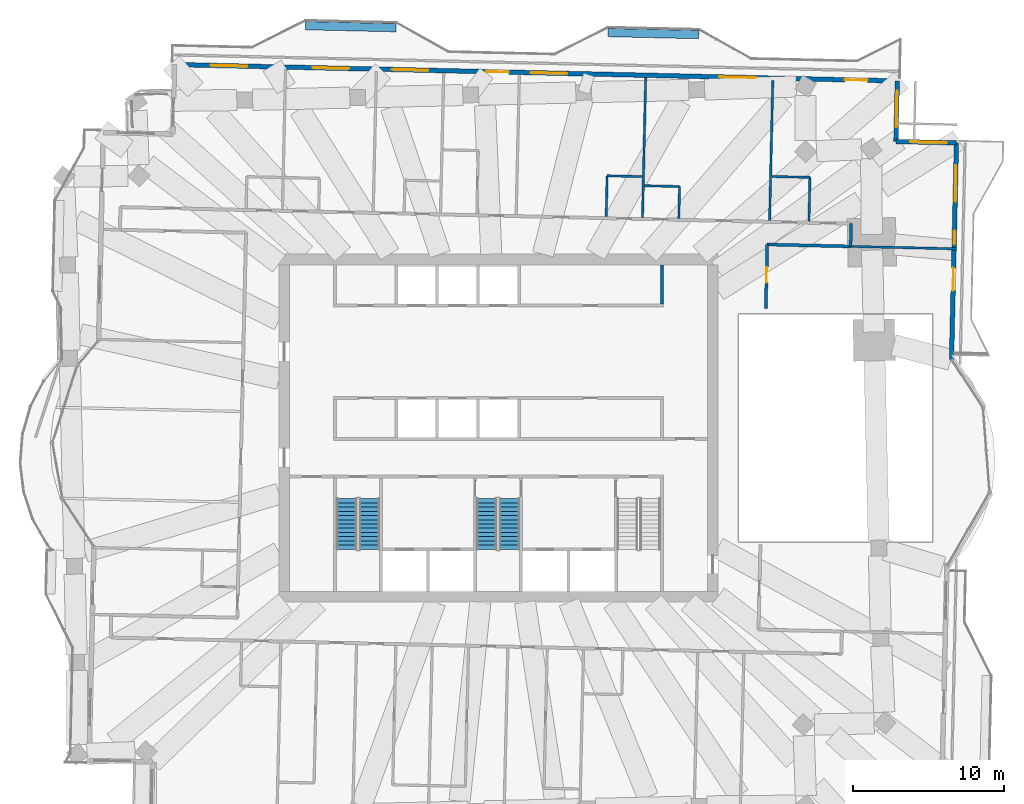
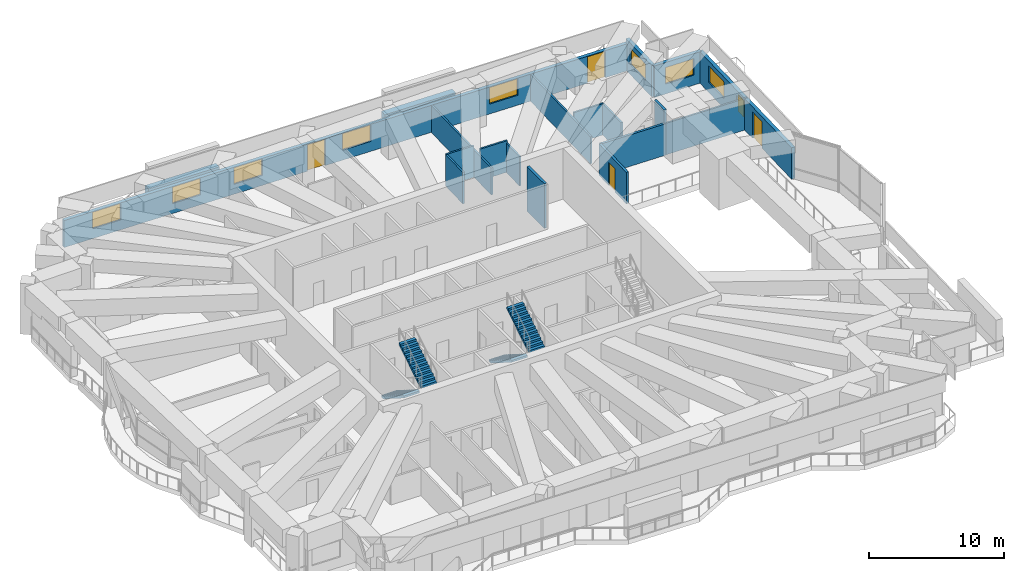
# One storey, part 14 of 20: 19 walls, 9 windows, 4 doors, 4 stair flights, 13 openings, 2 elements without a shape of their own.
"""IFC4 building model written with IfcOpenShell, lengths in metres."""

from ifc_helpers import new_model, si_unit, direction, frame, frame_2d, origin, place, context, subcontext, project, spatial, polyline, rectangle, outline, extrude, material, layer, layer_set, type_object, element, fill, aggregate, save


model = new_model("IFC4")

# Units and contexts
model_context = context("Model", 3, precision=1e-05, world=origin(), true_north=direction((0.0, 1.0)))
body_context = subcontext(model_context, "Body", "Model", "MODEL_VIEW")
ifc_project = project(units=[si_unit("LENGTHUNIT", "METRE"), si_unit("AREAUNIT", "SQUARE_METRE"), si_unit("VOLUMEUNIT", "CUBIC_METRE"), si_unit("PLANEANGLEUNIT", "RADIAN"), si_unit("MASSUNIT", "GRAM", prefix="KILO")], contexts=[model_context])

# Site, building, storey
site_placement = place(None, origin())
site = spatial("IfcSite", under=ifc_project, at=site_placement, CompositionType="ELEMENT")
building_placement = place(site_placement, origin())
building = spatial("IfcBuilding", under=site, at=building_placement, Name="Mangrove Gate Tower", CompositionType="ELEMENT")
storey_placement = place(building_placement, frame((0.0, 0.0, 252.699951171875)))
storey = spatial("IfcBuildingStorey", under=building, at=storey_placement, Name="L64", CompositionType="ELEMENT", Elevation=252.699951171875)

# Wall
ifc_material_1 = material(Name="Concrete C32/40", Category="concrete")
ifc_layer_1 = layer(ifc_material_1, 0.199951171875)
ifc_layer_set_1 = layer_set([ifc_layer_1], Name="Core room wall 200 C32/40")
wall_type_1 = type_object("IfcWallType", Name="Core room wall 200 C32/40", PredefinedType="STANDARD", material=ifc_layer_set_1)
wall_1_placement = place(storey_placement, frame((10.800048828125, 8.199951171875, 0.0), z_axis=(0.0, 0.0, 1.0), x_axis=(0.0, 1.0, 0.0)))
element("IfcWall", 1, at=wall_1_placement, inside=storey, type_object=wall_type_1, Name="WALL-L64-CORE-30", PredefinedType="STANDARD", context=body_context, shape_type="SweptSolid", body=[
    extrude(rectangle(XDim=2.60009765625, YDim=0.199951171875, at=frame_2d((1.300048828125, 0.0))), origin(), (0.0, 0.0, 1.0), 4.050048828125),
])

# Wall, opening, door
ifc_material_2 = material(Name="Gypsum board on steel stud, EI 60", Category="steel")
ifc_layer_2 = layer(ifc_material_2, 0.199951171875)
ifc_layer_set_2 = layer_set([ifc_layer_2], Name="Corridor wall EI 60")
wall_type_2 = type_object("IfcWallType", Name="Corridor wall EI 60", PredefinedType="PARTITIONING", material=ifc_layer_set_2)
wall_2_placement = place(storey_placement, frame((17.660888671875, 7.904052734375, 0.0), z_axis=(0.0, 0.0, 1.0), x_axis=(0.022718785711, 0.999741895079, 0.0)))
wall_2 = element("IfcWall", 2, at=wall_2_placement, inside=storey, type_object=wall_type_2, Name="WALL-L64-034", PredefinedType="PARTITIONING", context=body_context, shape_type="SweptSolid", body=[
    extrude(rectangle(XDim=4.23388671875, YDim=0.199951171875, at=frame_2d((2.116943359375, 0.0))), origin(), (0.0, 0.0, 1.0), 2.85009765625),
])
opening_1_placement = place(wall_2_placement, frame((1.718994140625, 0.0, 0.0)))
opening_1 = element("IfcOpeningElement", 3, at=opening_1_placement, cuts=wall_2, Name="Opening AD", PredefinedType="OPENING", context=body_context, shape_type="SweptSolid", body=[
    extrude(rectangle(XDim=1.0, YDim=2.10009765625, at=frame_2d((0.5, 1.050048828125))), frame((0.0, 0.10986328125, 0.0), z_axis=(0.0, -1.0, 0.0), x_axis=(1.0, 0.0, 0.0)), (0.0, 0.0, 1.0), 0.219970703125),
])
ifc_material_3 = material(Name="Timber door leaf", Category="wood")
door_type_1 = type_object("IfcDoorType", Name="Amenity door 1000", OperationType="SINGLE_SWING_LEFT", PredefinedType="DOOR", material=ifc_material_3)
door_1_placement = place(opening_1_placement, origin())
door_1 = element("IfcDoor", 4, at=door_1_placement, inside=storey, type_object=door_type_1, Name="DOOR-L64-KIT-c4b", OperationType="SINGLE_SWING_RIGHT", OverallHeight=2.10009765625, OverallWidth=1.0, PredefinedType="DOOR", context=body_context, shape_type="SweptSolid", body=[
    extrude(rectangle(XDim=1.0, YDim=2.10009765625, at=frame_2d((0.5, 1.050048828125))), frame((0.0, 0.02490234375, 0.0), z_axis=(0.0, -1.0, 0.0), x_axis=(1.0, 0.0, 0.0)), (0.0, 0.0, 1.0), 0.050048828125),
])
fill(opening_1, door_1)

# Walls
wall_3_placement = place(storey_placement, frame((17.7529296875, 12.136962890625, 0.0), z_axis=(0.0, 0.0, 1.0), x_axis=(0.999742772321, -0.022680149738, 0.0)))
element("IfcWall", 5, at=wall_3_placement, inside=storey, type_object=wall_type_2, Name="WALL-L64-038", PredefinedType="PARTITIONING", context=body_context, shape_type="SweptSolid", body=[
    extrude(rectangle(XDim=5.511474609375, YDim=0.199951171875, at=frame_2d((2.755859375, 0.0))), origin(), (0.0, 0.0, 1.0), 2.85009765625),
])
wall_4_placement = place(storey_placement, frame((23.26611328125, 12.011962890625, 0.0), z_axis=(0.0, 0.0, 1.0), x_axis=(0.022617910375, 0.999744182344, 0.0)))
element("IfcWall", 6, at=wall_4_placement, inside=storey, type_object=wall_type_2, Name="WALL-L64-040", PredefinedType="PARTITIONING", context=body_context, shape_type="SweptSolid", body=[
    extrude(rectangle(XDim=1.50048828125, YDim=0.199951171875, at=frame_2d((0.750244140625, 0.0))), origin(), (0.0, 0.0, 1.0), 4.050048828125),
])

# Wall, openings, door, windows
ifc_material_4 = material(Name="Limestone", Category="masonry")
ifc_layer_3 = layer(ifc_material_4, 0.0400390625, Name="Limestone cladding")
ifc_material_5 = material(Name="Ventilated air gap")
ifc_layer_4 = layer(ifc_material_5, 0.0400390625, Name="Ventilated cavity")
ifc_material_6 = material(Name="Mineral wool insulation")
ifc_layer_5 = layer(ifc_material_6, 0.06005859375, Name="Insulation")
ifc_material_7 = material(Name="Breather membrane")
ifc_layer_6 = layer(ifc_material_7, 0.001953125, Name="Breather membrane")
ifc_material_8 = material(Name="Concrete C20/25 blockwork", Category="masonry")
ifc_layer_7 = layer(ifc_material_8, 0.14990234375, Name="Blockwork backing wall")
ifc_material_9 = material(Name="Gypsum plaster")
ifc_layer_8 = layer(ifc_material_9, 0.008056640625, Name="Internal plaster")
ifc_layer_set_3 = layer_set([ifc_layer_3, ifc_layer_4, ifc_layer_5, ifc_layer_6, ifc_layer_7, ifc_layer_8], Name="External wall 300 limestone cladding")
wall_type_3 = type_object("IfcWallType", Name="External wall 300 limestone cladding", PredefinedType="SOLIDWALL", material=ifc_layer_set_3)
wall_5_placement = place(storey_placement, frame((29.93310546875, 4.529052734375, 0.0), z_axis=(0.0, 0.0, 1.0), x_axis=(0.022745013272, 0.999741298722, 0.0)))
wall_5 = element("IfcWall", 7, at=wall_5_placement, inside=storey, type_object=wall_type_3, Name="WALL-L64-E2", PredefinedType="SOLIDWALL", context=body_context, shape_type="SweptSolid", body=[
    extrude(rectangle(XDim=14.32958984375, YDim=0.300048828125, at=frame_2d((7.164794921875, 0.0))), origin(), (0.0, 0.0, 1.0), 2.85009765625),
])
opening_2_placement = place(wall_5_placement, frame((4.56396484375, 0.0, 0.0)))
opening_2 = element("IfcOpeningElement", 8, at=opening_2_placement, cuts=wall_5, Name="Opening BD1", PredefinedType="OPENING", context=body_context, shape_type="SweptSolid", body=[
    extrude(rectangle(XDim=1.5, YDim=2.39990234375, at=frame_2d((0.75, 1.199951171875))), frame((0.0, 0.159912109375, 0.0), z_axis=(0.0, -1.0, 0.0), x_axis=(1.0, 0.0, 0.0)), (0.0, 0.0, 1.0), 0.320068359375),
])
opening_3_placement = place(wall_5_placement, frame((7.62890625, 0.0, 0.89990234375)))
opening_3 = element("IfcOpeningElement", 9, at=opening_3_placement, cuts=wall_5, Name="Opening W5", PredefinedType="OPENING", context=body_context, shape_type="SweptSolid", body=[
    extrude(rectangle(XDim=0.89990234375, YDim=1.5, at=frame_2d((0.449951171875, 0.75))), frame((0.0, 0.159912109375, 0.0), z_axis=(0.0, -1.0, 0.0), x_axis=(1.0, 0.0, 0.0)), (0.0, 0.0, 1.0), 0.320068359375),
])
opening_4_placement = place(wall_5_placement, frame((10.4541015625, 0.0, 0.89990234375)))
opening_4 = element("IfcOpeningElement", 10, at=opening_4_placement, cuts=wall_5, Name="Opening W2", PredefinedType="OPENING", context=body_context, shape_type="SweptSolid", body=[
    extrude(rectangle(XDim=2.39990234375, YDim=1.5, at=frame_2d((1.199951171875, 0.75))), frame((0.0, 0.159912109375, 0.0), z_axis=(0.0, -1.0, 0.0), x_axis=(1.0, 0.0, 0.0)), (0.0, 0.0, 1.0), 0.320068359375),
])
ifc_material_10 = material(Name="Aluminium frame with laminated clear glass", Category="aluminium")
door_type_2 = type_object("IfcDoorType", Name="Balcony sliding door 1500x2400", OperationType="SLIDING_TO_LEFT", PredefinedType="DOOR", material=ifc_material_10)
door_2_placement = place(opening_2_placement, origin())
door_2 = element("IfcDoor", 11, at=door_2_placement, inside=storey, type_object=door_type_2, Name="DOOR-L64-E2-1", OperationType="SLIDING_TO_LEFT", OverallHeight=2.39990234375, OverallWidth=1.5, PredefinedType="DOOR", context=body_context, shape_type="SweptSolid", body=[
    extrude(rectangle(XDim=1.5, YDim=2.39990234375, at=frame_2d((0.75, 1.199951171875))), frame((0.0, 0.02490234375, 0.0), z_axis=(0.0, -1.0, 0.0), x_axis=(1.0, 0.0, 0.0)), (0.0, 0.0, 1.0), 0.050048828125),
])
fill(opening_2, door_2)
ifc_material_11 = material(Name="Aluminium frame with double-glazed low-e glass", Category="aluminium")
window_type_1 = type_object("IfcWindowType", Name="Corner room window 2400x1500", PartitioningType="DOUBLE_PANEL_VERTICAL", PredefinedType="WINDOW", material=ifc_material_11)
window_1_placement = place(opening_4_placement, origin())
window_1 = element("IfcWindow", 12, at=window_1_placement, inside=storey, type_object=window_type_1, Name="WIN-L64-E2-3", OverallHeight=1.5, OverallWidth=2.39990234375, PartitioningType="DOUBLE_PANEL_VERTICAL", PredefinedType="WINDOW", context=body_context, shape_type="SweptSolid", body=[
    extrude(rectangle(XDim=2.39990234375, YDim=1.5, at=frame_2d((1.199951171875, 0.75))), frame((0.0, 0.030029296875, 0.0), z_axis=(0.0, -1.0, 0.0), x_axis=(1.0, 0.0, 0.0)), (0.0, 0.0, 1.0), 0.06005859375),
])
fill(opening_4, window_1)
ifc_material_12 = material(Name="Aluminium frame with double-glazed low-e glass", Category="aluminium")
window_type_2 = type_object("IfcWindowType", Name="Narrow window 900x1500", PartitioningType="SINGLE_PANEL", PredefinedType="WINDOW", material=ifc_material_12)
window_2_placement = place(opening_3_placement, origin())
window_2 = element("IfcWindow", 13, at=window_2_placement, inside=storey, type_object=window_type_2, Name="WIN-L64-E2-2", OverallHeight=1.5, OverallWidth=0.89990234375, PartitioningType="SINGLE_PANEL", PredefinedType="WINDOW", context=body_context, shape_type="SweptSolid", body=[
    extrude(rectangle(XDim=0.89990234375, YDim=1.5, at=frame_2d((0.449951171875, 0.75))), frame((0.0, 0.030029296875, 0.0), z_axis=(0.0, -1.0, 0.0), x_axis=(1.0, 0.0, 0.0)), (0.0, 0.0, 1.0), 0.06005859375),
])
fill(opening_3, window_2)

# Wall, opening, window
wall_6_placement = place(storey_placement, frame((30.259033203125, 18.85498046875, 0.0), z_axis=(0.0, 0.0, 1.0), x_axis=(-0.999740826251, 0.022765770952, 0.0)))
wall_6 = element("IfcWall", 14, at=wall_6_placement, inside=storey, type_object=wall_type_3, Name="WALL-L64-N3", PredefinedType="SOLIDWALL", context=body_context, shape_type="SweptSolid", body=[
    extrude(rectangle(XDim=4.0, YDim=0.300048828125, at=frame_2d((2.0, 0.0))), origin(), (0.0, 0.0, 1.0), 2.85009765625),
])
opening_5_placement = place(wall_6_placement, frame((0.64990234375, 0.0, 0.89990234375)))
opening_5 = element("IfcOpeningElement", 15, at=opening_5_placement, cuts=wall_6, Name="Opening W2", PredefinedType="OPENING", context=body_context, shape_type="SweptSolid", body=[
    extrude(rectangle(XDim=2.39990234375, YDim=1.5, at=frame_2d((1.199951171875, 0.75))), frame((0.0, 0.159912109375, 0.0), z_axis=(0.0, -1.0, 0.0), x_axis=(1.0, 0.0, 0.0)), (0.0, 0.0, 1.0), 0.320068359375),
])
window_3_placement = place(opening_5_placement, origin())
window_3 = element("IfcWindow", 16, at=window_3_placement, inside=storey, type_object=window_type_1, Name="WIN-L64-N3-1", OverallHeight=1.5, OverallWidth=2.39990234375, PartitioningType="DOUBLE_PANEL_VERTICAL", PredefinedType="WINDOW", context=body_context, shape_type="SweptSolid", body=[
    extrude(rectangle(XDim=2.39990234375, YDim=1.5, at=frame_2d((1.199951171875, 0.75))), frame((0.0, 0.030029296875, 0.0), z_axis=(0.0, -1.0, 0.0), x_axis=(1.0, 0.0, 0.0)), (0.0, 0.0, 1.0), 0.06005859375),
])
fill(opening_5, window_3)

wall_7_placement = place(storey_placement, frame((26.260009765625, 18.946044921875, 0.0), z_axis=(0.0, 0.0, 1.0), x_axis=(0.022521758502, 0.999746353029, 0.0)))
wall_7 = element("IfcWall", 17, at=wall_7_placement, inside=storey, type_object=wall_type_3, Name="WALL-L64-E4", PredefinedType="SOLIDWALL", context=body_context, shape_type="SweptSolid", body=[
    extrude(rectangle(XDim=4.0, YDim=0.300048828125, at=frame_2d((2.0, 0.0))), origin(), (0.0, 0.0, 1.0), 2.85009765625),
])
opening_6_placement = place(wall_7_placement, frame((0.949951171875, 0.0, 0.89990234375)))
opening_6 = element("IfcOpeningElement", 18, at=opening_6_placement, cuts=wall_7, Name="Opening W2", PredefinedType="OPENING", context=body_context, shape_type="SweptSolid", body=[
    extrude(rectangle(XDim=2.39990234375, YDim=1.5, at=frame_2d((1.199951171875, 0.75))), frame((0.0, 0.159912109375, 0.0), z_axis=(0.0, -1.0, 0.0), x_axis=(1.0, 0.0, 0.0)), (0.0, 0.0, 1.0), 0.320068359375),
])
window_4_placement = place(opening_6_placement, origin())
window_4 = element("IfcWindow", 19, at=window_4_placement, inside=storey, type_object=window_type_1, Name="WIN-L64-E4-1", OverallHeight=1.5, OverallWidth=2.39990234375, PartitioningType="DOUBLE_PANEL_VERTICAL", PredefinedType="WINDOW", context=body_context, shape_type="SweptSolid", body=[
    extrude(rectangle(XDim=2.39990234375, YDim=1.5, at=frame_2d((1.199951171875, 0.75))), frame((0.0, 0.030029296875, 0.0), z_axis=(0.0, -1.0, 0.0), x_axis=(1.0, 0.0, 0.0)), (0.0, 0.0, 1.0), 0.06005859375),
])
fill(opening_6, window_4)

# Wall, openings, doors, windows
wall_8_placement = place(storey_placement, frame((26.35009765625, 22.945068359375, 0.0), z_axis=(0.0, 0.0, 1.0), x_axis=(-0.999742523712, 0.022691105788, 0.0)))
wall_8 = element("IfcWall", 20, at=wall_8_placement, inside=storey, type_object=wall_type_3, Name="WALL-L64-N5", PredefinedType="SOLIDWALL", context=body_context, shape_type="SweptSolid", body=[
    extrude(rectangle(XDim=47.771240234375, YDim=0.300048828125, at=frame_2d((23.8857421875, 0.0))), origin(), (0.0, 0.0, 1.0), 2.449951171875),
])
opening_7_placement = place(wall_8_placement, frame((1.968994140625, 0.0, 0.0)))
opening_7 = element("IfcOpeningElement", 21, at=opening_7_placement, cuts=wall_8, Name="Opening BD1", PredefinedType="OPENING", context=body_context, shape_type="SweptSolid", body=[
    extrude(rectangle(XDim=1.5, YDim=2.39990234375, at=frame_2d((0.75, 1.199951171875))), frame((0.0, 0.159912109375, 0.0), z_axis=(0.0, -1.0, 0.0), x_axis=(1.0, 0.0, 0.0)), (0.0, 0.0, 1.0), 0.320068359375),
])
opening_8_placement = place(wall_8_placement, frame((9.35595703125, 0.0, 0.89990234375)))
opening_8 = element("IfcOpeningElement", 22, at=opening_8_placement, cuts=wall_8, Name="Opening W2", PredefinedType="OPENING", context=body_context, shape_type="SweptSolid", body=[
    extrude(rectangle(XDim=2.39990234375, YDim=1.5, at=frame_2d((1.199951171875, 0.75))), frame((0.0, 0.159912109375, 0.0), z_axis=(0.0, -1.0, 0.0), x_axis=(1.0, 0.0, 0.0)), (0.0, 0.0, 1.0), 0.320068359375),
])
opening_9_placement = place(wall_8_placement, frame((21.81005859375, 0.0, 0.89990234375)))
opening_9 = element("IfcOpeningElement", 23, at=opening_9_placement, cuts=wall_8, Name="Opening W2", PredefinedType="OPENING", context=body_context, shape_type="SweptSolid", body=[
    extrude(rectangle(XDim=2.39990234375, YDim=1.5, at=frame_2d((1.199951171875, 0.75))), frame((0.0, 0.159912109375, 0.0), z_axis=(0.0, -1.0, 0.0), x_axis=(1.0, 0.0, 0.0)), (0.0, 0.0, 1.0), 0.320068359375),
])
opening_10_placement = place(wall_8_placement, frame((25.6669921875, 0.0, 0.0)))
opening_10 = element("IfcOpeningElement", 24, at=opening_10_placement, cuts=wall_8, Name="Opening BD1", PredefinedType="OPENING", context=body_context, shape_type="SweptSolid", body=[
    extrude(rectangle(XDim=1.5, YDim=2.39990234375, at=frame_2d((0.75, 1.199951171875))), frame((0.0, 0.159912109375, 0.0), z_axis=(0.0, -1.0, 0.0), x_axis=(1.0, 0.0, 0.0)), (0.0, 0.0, 1.0), 0.320068359375),
])
opening_11_placement = place(wall_8_placement, frame((30.9970703125, 0.0, 0.89990234375)))
opening_11 = element("IfcOpeningElement", 25, at=opening_11_placement, cuts=wall_8, Name="Opening W2", PredefinedType="OPENING", context=body_context, shape_type="SweptSolid", body=[
    extrude(rectangle(XDim=2.39990234375, YDim=1.5, at=frame_2d((1.199951171875, 0.75))), frame((0.0, 0.159912109375, 0.0), z_axis=(0.0, -1.0, 0.0), x_axis=(1.0, 0.0, 0.0)), (0.0, 0.0, 1.0), 0.320068359375),
])
opening_12_placement = place(wall_8_placement, frame((36.221923828125, 0.0, 0.89990234375)))
opening_12 = element("IfcOpeningElement", 26, at=opening_12_placement, cuts=wall_8, Name="Opening W2", PredefinedType="OPENING", context=body_context, shape_type="SweptSolid", body=[
    extrude(rectangle(XDim=2.39990234375, YDim=1.5, at=frame_2d((1.199951171875, 0.75))), frame((0.0, 0.159912109375, 0.0), z_axis=(0.0, -1.0, 0.0), x_axis=(1.0, 0.0, 0.0)), (0.0, 0.0, 1.0), 0.320068359375),
])
opening_13_placement = place(wall_8_placement, frame((42.971923828125, 0.0, 0.89990234375)))
opening_13 = element("IfcOpeningElement", 27, at=opening_13_placement, cuts=wall_8, Name="Opening W2", PredefinedType="OPENING", context=body_context, shape_type="SweptSolid", body=[
    extrude(rectangle(XDim=2.39990234375, YDim=1.5, at=frame_2d((1.199951171875, 0.75))), frame((0.0, 0.159912109375, 0.0), z_axis=(0.0, -1.0, 0.0), x_axis=(1.0, 0.0, 0.0)), (0.0, 0.0, 1.0), 0.320068359375),
])
door_3_placement = place(opening_7_placement, origin())
door_3 = element("IfcDoor", 28, at=door_3_placement, inside=storey, type_object=door_type_2, Name="DOOR-L64-N5-1", OperationType="SLIDING_TO_LEFT", OverallHeight=2.39990234375, OverallWidth=1.5, PredefinedType="DOOR", context=body_context, shape_type="SweptSolid", body=[
    extrude(rectangle(XDim=1.5, YDim=2.39990234375, at=frame_2d((0.75, 1.199951171875))), frame((0.0, 0.02490234375, 0.0), z_axis=(0.0, -1.0, 0.0), x_axis=(1.0, 0.0, 0.0)), (0.0, 0.0, 1.0), 0.050048828125),
])
fill(opening_7, door_3)
door_4_placement = place(opening_10_placement, origin())
door_4 = element("IfcDoor", 29, at=door_4_placement, inside=storey, type_object=door_type_2, Name="DOOR-L64-N5-4", OperationType="SLIDING_TO_LEFT", OverallHeight=2.39990234375, OverallWidth=1.5, PredefinedType="DOOR", context=body_context, shape_type="SweptSolid", body=[
    extrude(rectangle(XDim=1.5, YDim=2.39990234375, at=frame_2d((0.75, 1.199951171875))), frame((0.0, 0.02490234375, 0.0), z_axis=(0.0, -1.0, 0.0), x_axis=(1.0, 0.0, 0.0)), (0.0, 0.0, 1.0), 0.050048828125),
])
fill(opening_10, door_4)
window_5_placement = place(opening_8_placement, origin())
window_5 = element("IfcWindow", 30, at=window_5_placement, inside=storey, type_object=window_type_1, Name="WIN-L64-N5-2", OverallHeight=1.5, OverallWidth=2.39990234375, PartitioningType="DOUBLE_PANEL_VERTICAL", PredefinedType="WINDOW", context=body_context, shape_type="SweptSolid", body=[
    extrude(rectangle(XDim=2.39990234375, YDim=1.5, at=frame_2d((1.199951171875, 0.75))), frame((0.0, 0.030029296875, 0.0), z_axis=(0.0, -1.0, 0.0), x_axis=(1.0, 0.0, 0.0)), (0.0, 0.0, 1.0), 0.06005859375),
])
fill(opening_8, window_5)
window_6_placement = place(opening_9_placement, origin())
window_6 = element("IfcWindow", 31, at=window_6_placement, inside=storey, type_object=window_type_1, Name="WIN-L64-N5-3", OverallHeight=1.5, OverallWidth=2.39990234375, PartitioningType="DOUBLE_PANEL_VERTICAL", PredefinedType="WINDOW", context=body_context, shape_type="SweptSolid", body=[
    extrude(rectangle(XDim=2.39990234375, YDim=1.5, at=frame_2d((1.199951171875, 0.75))), frame((0.0, 0.030029296875, 0.0), z_axis=(0.0, -1.0, 0.0), x_axis=(1.0, 0.0, 0.0)), (0.0, 0.0, 1.0), 0.06005859375),
])
fill(opening_9, window_6)
window_7_placement = place(opening_11_placement, origin())
window_7 = element("IfcWindow", 32, at=window_7_placement, inside=storey, type_object=window_type_1, Name="WIN-L64-N5-5", OverallHeight=1.5, OverallWidth=2.39990234375, PartitioningType="DOUBLE_PANEL_VERTICAL", PredefinedType="WINDOW", context=body_context, shape_type="SweptSolid", body=[
    extrude(rectangle(XDim=2.39990234375, YDim=1.5, at=frame_2d((1.199951171875, 0.75))), frame((0.0, 0.030029296875, 0.0), z_axis=(0.0, -1.0, 0.0), x_axis=(1.0, 0.0, 0.0)), (0.0, 0.0, 1.0), 0.06005859375),
])
fill(opening_11, window_7)
window_8_placement = place(opening_12_placement, origin())
window_8 = element("IfcWindow", 33, at=window_8_placement, inside=storey, type_object=window_type_1, Name="WIN-L64-N5-6", OverallHeight=1.5, OverallWidth=2.39990234375, PartitioningType="DOUBLE_PANEL_VERTICAL", PredefinedType="WINDOW", context=body_context, shape_type="SweptSolid", body=[
    extrude(rectangle(XDim=2.39990234375, YDim=1.5, at=frame_2d((1.199951171875, 0.75))), frame((0.0, 0.030029296875, 0.0), z_axis=(0.0, -1.0, 0.0), x_axis=(1.0, 0.0, 0.0)), (0.0, 0.0, 1.0), 0.06005859375),
])
fill(opening_12, window_8)
window_9_placement = place(opening_13_placement, origin())
window_9 = element("IfcWindow", 34, at=window_9_placement, inside=storey, type_object=window_type_1, Name="WIN-L64-N5-7", OverallHeight=1.5, OverallWidth=2.39990234375, PartitioningType="DOUBLE_PANEL_VERTICAL", PredefinedType="WINDOW", context=body_context, shape_type="SweptSolid", body=[
    extrude(rectangle(XDim=2.39990234375, YDim=1.5, at=frame_2d((1.199951171875, 0.75))), frame((0.0, 0.030029296875, 0.0), z_axis=(0.0, -1.0, 0.0), x_axis=(1.0, 0.0, 0.0)), (0.0, 0.0, 1.0), 0.06005859375),
])
fill(opening_13, window_9)

# Walls
ifc_material_13 = material(Name="Gypsum board on steel stud, EI 60", Category="steel")
ifc_layer_9 = layer(ifc_material_13, 0.14990234375)
ifc_layer_set_4 = layer_set([ifc_layer_9], Name="Party wall 150 EI 60")
wall_type_4 = type_object("IfcWallType", Name="Party wall 150 EI 60", PredefinedType="PARTITIONING", material=ifc_layer_set_4)
wall_9_placement = place(storey_placement, frame((23.262939453125, 12.011962890625, 0.0), z_axis=(0.0, 0.0, 1.0), x_axis=(0.999741384486, -0.022741243275, 0.0)))
element("IfcWall", 35, at=wall_9_placement, inside=storey, type_object=wall_type_4, Name="WALL-L64-039", PredefinedType="PARTITIONING", context=body_context, shape_type="SweptSolid", body=[
    extrude(rectangle(XDim=6.98876953125, YDim=0.14990234375, at=frame_2d((3.494384765625, 0.0))), origin(), (0.0, 0.0, 1.0), 2.85009765625),
])
wall_10_placement = place(storey_placement, frame((7.115966796875, 13.97900390625, 0.0), z_axis=(0.0, 0.0, 1.0), x_axis=(0.02260842146, 0.999744396973, 0.0)))
element("IfcWall", 36, at=wall_10_placement, inside=storey, type_object=wall_type_4, Name="WALL-L64-050", PredefinedType="PARTITIONING", context=body_context, shape_type="SweptSolid", body=[
    extrude(rectangle(XDim=2.69970703125, YDim=0.14990234375, at=frame_2d((1.349853515625, 0.0))), origin(), (0.0, 0.0, 1.0), 2.85009765625),
])
wall_11_placement = place(storey_placement, frame((9.514892578125, 13.924072265625, 0.0), z_axis=(0.0, 0.0, 1.0), x_axis=(0.022723803418, 0.999741781041, 0.0)))
element("IfcWall", 37, at=wall_11_placement, inside=storey, type_object=wall_type_4, Name="WALL-L64-051", PredefinedType="PARTITIONING", context=body_context, shape_type="SweptSolid", body=[
    extrude(rectangle(XDim=9.25048828125, YDim=0.14990234375, at=frame_2d((4.625244140625, 0.0))), origin(), (0.0, 0.0, 1.0), 2.449951171875),
])
wall_12_placement = place(storey_placement, frame((11.9150390625, 13.8701171875, 0.0), z_axis=(0.0, 0.0, 1.0), x_axis=(0.022327804475, 0.999750703499, 0.0)))
element("IfcWall", 38, at=wall_12_placement, inside=storey, type_object=wall_type_4, Name="WALL-L64-052", PredefinedType="PARTITIONING", context=body_context, shape_type="SweptSolid", body=[
    extrude(rectangle(XDim=2.099365234375, YDim=0.14990234375, at=frame_2d((1.0498046875, 0.0))), origin(), (0.0, 0.0, 1.0), 2.650146484375),
])
wall_13_placement = place(storey_placement, frame((17.9130859375, 13.73388671875, 0.0), z_axis=(0.0, 0.0, 1.0), x_axis=(0.022697424684, 0.999742380272, 0.0)))
element("IfcWall", 39, at=wall_13_placement, inside=storey, type_object=wall_type_4, Name="WALL-L64-053", PredefinedType="PARTITIONING", context=body_context, shape_type="SweptSolid", body=[
    extrude(rectangle(XDim=9.25048828125, YDim=0.14990234375, at=frame_2d((4.625244140625, 0.0))), origin(), (0.0, 0.0, 1.0), 2.449951171875),
])
wall_14_placement = place(storey_placement, frame((20.512939453125, 13.675048828125, 0.0), z_axis=(0.0, 0.0, 1.0), x_axis=(0.022396267458, 0.999749172145, 0.0)))
element("IfcWall", 40, at=wall_14_placement, inside=storey, type_object=wall_type_4, Name="WALL-L64-054", PredefinedType="PARTITIONING", context=body_context, shape_type="SweptSolid", body=[
    extrude(rectangle(XDim=2.899658203125, YDim=0.14990234375, at=frame_2d((1.44970703125, 0.0))), origin(), (0.0, 0.0, 1.0), 2.85009765625),
])
wall_15_placement = place(storey_placement, frame((9.64208984375, 16.02197265625, 0.0), z_axis=(0.0, 0.0, 1.0), x_axis=(0.999740260747, -0.02279059109, 0.0)))
element("IfcWall", 41, at=wall_15_placement, inside=storey, type_object=wall_type_4, Name="WALL-L64-057", PredefinedType="PARTITIONING", context=body_context, shape_type="SweptSolid", body=[
    extrude(rectangle(XDim=2.324462890625, YDim=0.14990234375, at=frame_2d((1.162109375, 0.0))), origin(), (0.0, 0.0, 1.0), 2.85009765625),
])
wall_16_placement = place(storey_placement, frame((7.180908203125, 16.677978515625, 0.0), z_axis=(0.0, 0.0, 1.0), x_axis=(0.99974053329, -0.022778632478, 0.0)))
element("IfcWall", 42, at=wall_16_placement, inside=storey, type_object=wall_type_4, Name="WALL-L64-058", PredefinedType="PARTITIONING", context=body_context, shape_type="SweptSolid", body=[
    extrude(rectangle(XDim=2.32568359375, YDim=0.14990234375, at=frame_2d((1.162841796875, 0.0))), origin(), (0.0, 0.0, 1.0), 2.85009765625),
])
wall_17_placement = place(storey_placement, frame((18.05810546875, 16.631103515625, 0.0), z_axis=(0.0, 0.0, 1.0), x_axis=(0.99974392816, -0.022629142889, 0.0)))
element("IfcWall", 43, at=wall_17_placement, inside=storey, type_object=wall_type_4, Name="WALL-L64-059", PredefinedType="PARTITIONING", context=body_context, shape_type="SweptSolid", body=[
    extrude(rectangle(XDim=2.524658203125, YDim=0.14990234375, at=frame_2d((1.26220703125, 0.0))), origin(), (0.0, 0.0, 1.0), 2.85009765625),
])
ifc_material_14 = material(Name="Concrete C32/40", Category="concrete")
ifc_layer_10 = layer(ifc_material_14, 0.199951171875, Name="Planter trough wall")
ifc_material_15 = material(Name="Bituminous waterproofing membrane")
ifc_layer_11 = layer(ifc_material_15, 0.0048828125, Name="Waterproofing")
ifc_material_16 = material(Name="Drainage board and gravel")
ifc_layer_12 = layer(ifc_material_16, 0.044921875, Name="Drainage layer")
ifc_material_17 = material(Name="Planting soil")
ifc_layer_13 = layer(ifc_material_17, 0.300048828125, Name="Growing medium")
ifc_layer_set_5 = layer_set([ifc_layer_10, ifc_layer_11, ifc_layer_12, ifc_layer_13], Name="Planter wall 550 C32/40")
wall_type_5 = type_object("IfcWallType", Name="Planter wall 550 C32/40", PredefinedType="USERDEFINED", material=ifc_layer_set_5)
for number, where, z_axis, x_axis, name in (
    (44, (7.23193359375, 26.14404296875, 0.0), (0.0, 0.0, 1.0), (0.999743178102, -0.022662255828, 0.0), "PLANTER L64 N0.1"),
    (45, (-12.762939453125, 26.597900390625, 0.0), (0.0, 0.0, 1.0), (0.999743178102, -0.022662255828, 0.0), "PLANTER L64 N1.1"),
):
    element("IfcWall", number, at=place(storey_placement, frame(where, z_axis=z_axis, x_axis=x_axis)), inside=storey, type_object=wall_type_5, Name=name, ObjectType="PLANTER", PredefinedType="USERDEFINED", context=body_context, shape_type="SweptSolid", body=[
        extrude(rectangle(XDim=6.00048828125, YDim=0.550048828125, at=frame_2d((3.000244140625, 0.0))), origin(), (0.0, 0.0, 1.0), 0.800048828125),
    ])

# Stair, stair flights
ifc_material_18 = material(Name="Concrete C40/50", Category="concrete")
stair_type = type_object("IfcStairType", Name="Core stair 1350", PredefinedType="HALF_TURN_STAIR", material=ifc_material_18)
stair_1_placement = place(storey_placement, origin())
stair_1 = element("IfcStair", 46, at=stair_1_placement, inside=storey, type_object=stair_type, Name="L64 Stair 1", PredefinedType="HALF_TURN_STAIR")
ifc_material_19 = material(Name="Concrete C40/50", Category="concrete")
stair_flight_type = type_object("IfcStairFlightType", Name="Core stair flight 1350", PredefinedType="STRAIGHT", material=ifc_material_19)
stair_flight_1_placement = place(storey_placement, frame((-10.02490234375, -4.64990234375, 0.0), z_axis=(0.0, 0.0, 1.0), x_axis=(0.0, -1.0, 0.0)))
stair_flight_1 = element("IfcStairFlight", 47, at=stair_flight_1_placement, type_object=stair_flight_type, Name="ST1 flight 1", NumberOfRisers=13, NumberOfTreads=12, PredefinedType="STRAIGHT", RiserHeight=0.176923077, TreadLength=0.28, context=body_context, shape_type="SweptSolid", body=[
    extrude(outline(polyline([(0.0, 0.0), (0.0, 0.177001953125), (0.280029296875, 0.177001953125), (0.280029296875, 0.353759765625), (0.56005859375, 0.353759765625), (0.56005859375, 0.53076171875), (0.840087890625, 0.53076171875), (0.840087890625, 0.707763671875), (1.1201171875, 0.707763671875), (1.1201171875, 0.884521484375), (1.39990234375, 0.884521484375), (1.39990234375, 1.0615234375), (1.679931640625, 1.0615234375), (1.679931640625, 1.238525390625), (1.9599609375, 1.238525390625), (1.9599609375, 1.415283203125), (2.239990234375, 1.415283203125), (2.239990234375, 1.59228515625), (2.52001953125, 1.59228515625), (2.52001953125, 1.769287109375), (2.800048828125, 1.769287109375), (2.800048828125, 1.946044921875), (3.080078125, 1.946044921875), (3.080078125, 2.123046875), (3.360107421875, 2.123046875), (3.360107421875, 2.300048828125), (3.360107421875, 1.94580078125), (0.280517578125, 0.0), (0.0, 0.0)])), frame((0.0, 0.675048828125, 0.0), z_axis=(0.0, -1.0, 0.0), x_axis=(1.0, 0.0, 0.0)), (0.0, 0.0, 1.0), 1.35009765625),
])
stair_flight_2_placement = place(storey_placement, frame((-8.52490234375, -8.010009765625, 2.300048828125), z_axis=(0.0, 0.0, 1.0), x_axis=(0.0, 1.0, 0.0)))
stair_flight_2 = element("IfcStairFlight", 48, at=stair_flight_2_placement, type_object=stair_flight_type, Name="ST1 flight 2", NumberOfRisers=13, NumberOfTreads=12, PredefinedType="STRAIGHT", RiserHeight=0.176923077, TreadLength=0.28, context=body_context, shape_type="SweptSolid", body=[
    extrude(outline(polyline([(0.0, 0.0), (0.0, 0.177001953125), (0.280029296875, 0.177001953125), (0.280029296875, 0.353759765625), (0.56005859375, 0.353759765625), (0.56005859375, 0.53076171875), (0.840087890625, 0.53076171875), (0.840087890625, 0.707763671875), (1.1201171875, 0.707763671875), (1.1201171875, 0.884521484375), (1.39990234375, 0.884521484375), (1.39990234375, 1.0615234375), (1.679931640625, 1.0615234375), (1.679931640625, 1.238525390625), (1.9599609375, 1.238525390625), (1.9599609375, 1.415283203125), (2.239990234375, 1.415283203125), (2.239990234375, 1.59228515625), (2.52001953125, 1.59228515625), (2.52001953125, 1.769287109375), (2.800048828125, 1.769287109375), (2.800048828125, 1.946044921875), (3.080078125, 1.946044921875), (3.080078125, 2.123046875), (3.360107421875, 2.123046875), (3.360107421875, 2.300048828125), (3.360107421875, 1.94580078125), (0.280517578125, 0.0), (0.0, 0.0)])), frame((0.0, 0.675048828125, 0.0), z_axis=(0.0, -1.0, 0.0), x_axis=(1.0, 0.0, 0.0)), (0.0, 0.0, 1.0), 1.35009765625),
])
aggregate(stair_1, [stair_flight_1, stair_flight_2])

stair_2_placement = place(storey_placement, origin())
stair_2 = element("IfcStair", 49, at=stair_2_placement, inside=storey, type_object=stair_type, Name="L64 Stair 2", PredefinedType="HALF_TURN_STAIR")
stair_flight_3_placement = place(storey_placement, frame((-0.77490234375, -4.64990234375, 0.0), z_axis=(0.0, 0.0, 1.0), x_axis=(0.0, -1.0, 0.0)))
stair_flight_3 = element("IfcStairFlight", 50, at=stair_flight_3_placement, type_object=stair_flight_type, Name="ST2 flight 1", NumberOfRisers=13, NumberOfTreads=12, PredefinedType="STRAIGHT", RiserHeight=0.176923077, TreadLength=0.28, context=body_context, shape_type="SweptSolid", body=[
    extrude(outline(polyline([(0.0, 0.0), (0.0, 0.177001953125), (0.280029296875, 0.177001953125), (0.280029296875, 0.353759765625), (0.56005859375, 0.353759765625), (0.56005859375, 0.53076171875), (0.840087890625, 0.53076171875), (0.840087890625, 0.707763671875), (1.1201171875, 0.707763671875), (1.1201171875, 0.884521484375), (1.39990234375, 0.884521484375), (1.39990234375, 1.0615234375), (1.679931640625, 1.0615234375), (1.679931640625, 1.238525390625), (1.9599609375, 1.238525390625), (1.9599609375, 1.415283203125), (2.239990234375, 1.415283203125), (2.239990234375, 1.59228515625), (2.52001953125, 1.59228515625), (2.52001953125, 1.769287109375), (2.800048828125, 1.769287109375), (2.800048828125, 1.946044921875), (3.080078125, 1.946044921875), (3.080078125, 2.123046875), (3.360107421875, 2.123046875), (3.360107421875, 2.300048828125), (3.360107421875, 1.94580078125), (0.280517578125, 0.0), (0.0, 0.0)])), frame((0.0, 0.675048828125, 0.0), z_axis=(0.0, -1.0, 0.0), x_axis=(1.0, 0.0, 0.0)), (0.0, 0.0, 1.0), 1.35009765625),
])
stair_flight_4_placement = place(storey_placement, frame((0.72509765625, -8.010009765625, 2.300048828125), z_axis=(0.0, 0.0, 1.0), x_axis=(0.0, 1.0, 0.0)))
stair_flight_4 = element("IfcStairFlight", 51, at=stair_flight_4_placement, type_object=stair_flight_type, Name="ST2 flight 2", NumberOfRisers=13, NumberOfTreads=12, PredefinedType="STRAIGHT", RiserHeight=0.176923077, TreadLength=0.28, context=body_context, shape_type="SweptSolid", body=[
    extrude(outline(polyline([(0.0, 0.0), (0.0, 0.177001953125), (0.280029296875, 0.177001953125), (0.280029296875, 0.353759765625), (0.56005859375, 0.353759765625), (0.56005859375, 0.53076171875), (0.840087890625, 0.53076171875), (0.840087890625, 0.707763671875), (1.1201171875, 0.707763671875), (1.1201171875, 0.884521484375), (1.39990234375, 0.884521484375), (1.39990234375, 1.0615234375), (1.679931640625, 1.0615234375), (1.679931640625, 1.238525390625), (1.9599609375, 1.238525390625), (1.9599609375, 1.415283203125), (2.239990234375, 1.415283203125), (2.239990234375, 1.59228515625), (2.52001953125, 1.59228515625), (2.52001953125, 1.769287109375), (2.800048828125, 1.769287109375), (2.800048828125, 1.946044921875), (3.080078125, 1.946044921875), (3.080078125, 2.123046875), (3.360107421875, 2.123046875), (3.360107421875, 2.300048828125), (3.360107421875, 1.94580078125), (0.280517578125, 0.0), (0.0, 0.0)])), frame((0.0, 0.675048828125, 0.0), z_axis=(0.0, -1.0, 0.0), x_axis=(1.0, 0.0, 0.0)), (0.0, 0.0, 1.0), 1.35009765625),
])
aggregate(stair_2, [stair_flight_3, stair_flight_4])

save(model, "model.ifc")
